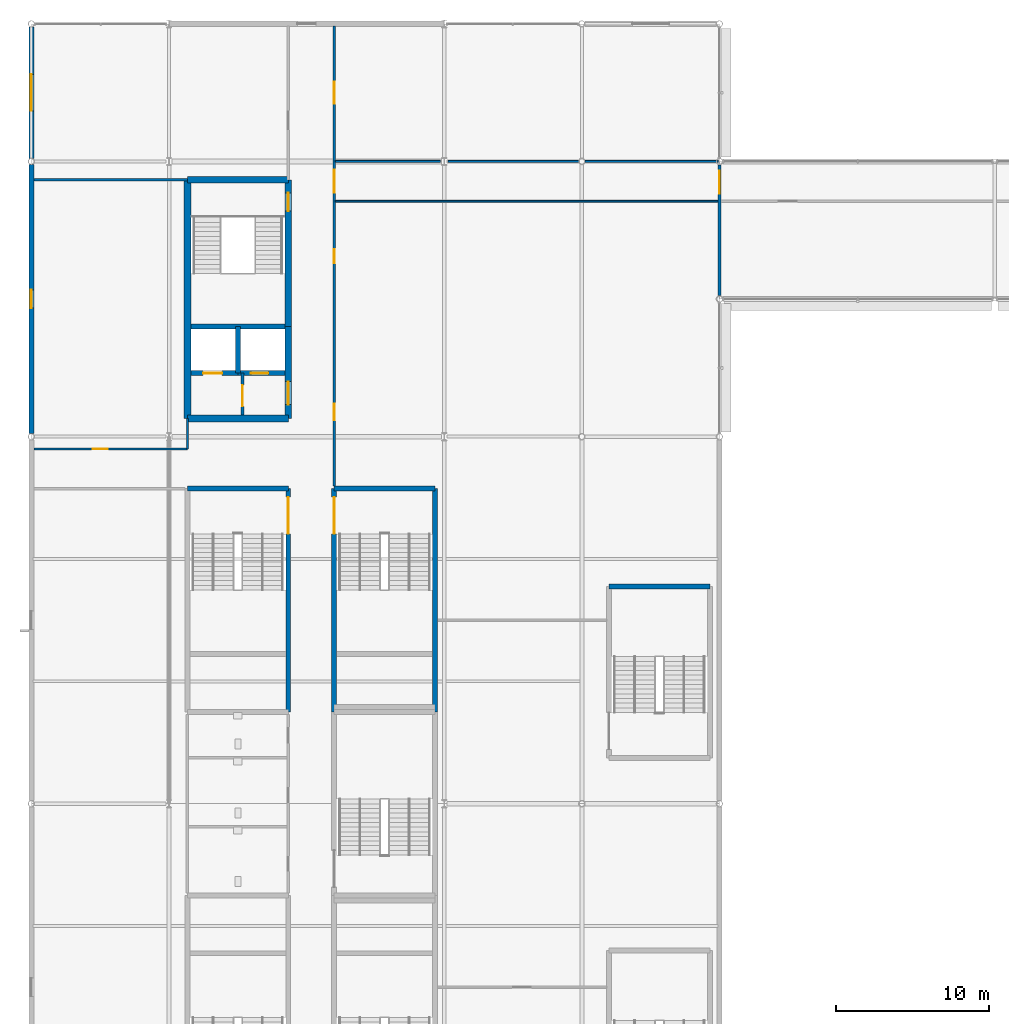
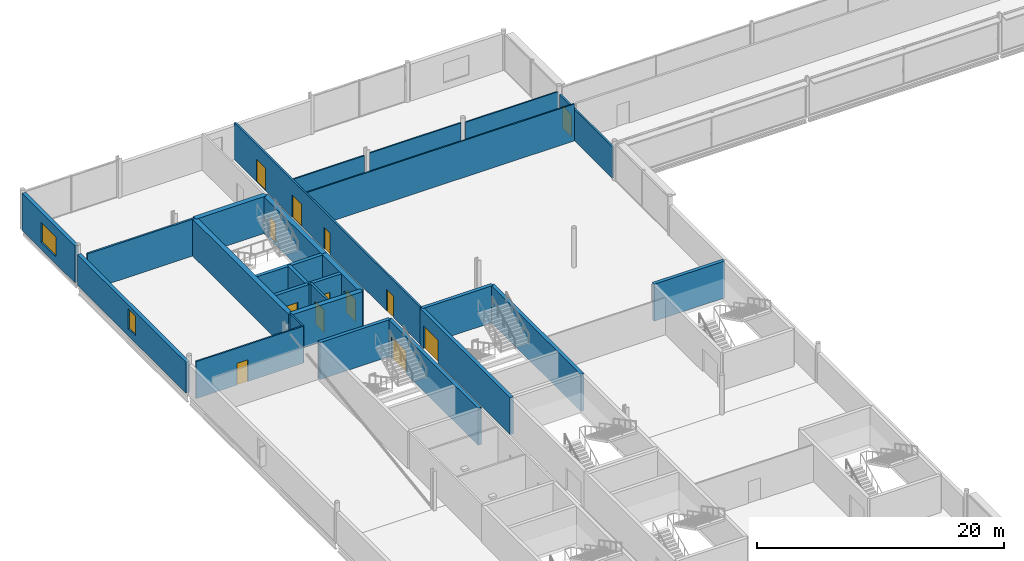
# One storey, part 57 of 96: 27 walls, 13 doors, 2 windows, 15 openings.
"""IFC4 building model written with IfcOpenShell, lengths in metres."""

from ifc_helpers import new_model, si_unit, direction, frame, frame_2d, origin, place, context, subcontext, project, spatial, rectangle, extrude, material, layer, layer_set, type_object, element, fill, save


model = new_model("IFC4")

# Units and contexts
model_context = context("Model", 3, precision=1e-05, world=origin(), true_north=direction((0.0, 1.0)))
body_context = subcontext(model_context, "Body", "Model", "MODEL_VIEW")
ifc_project = project(units=[si_unit("LENGTHUNIT", "METRE"), si_unit("AREAUNIT", "SQUARE_METRE"), si_unit("VOLUMEUNIT", "CUBIC_METRE"), si_unit("PLANEANGLEUNIT", "RADIAN"), si_unit("MASSUNIT", "GRAM", prefix="KILO")], contexts=[model_context])

# Site, building, storey
site_placement = place(None, origin())
site = spatial("IfcSite", under=ifc_project, at=site_placement, CompositionType="ELEMENT")
building_placement = place(site_placement, origin())
building = spatial("IfcBuilding", under=site, at=building_placement, Name="Kisiwana Market Hall", CompositionType="ELEMENT")
storey_placement = place(building_placement, frame((0.0, 0.0, 25.5)))
storey = spatial("IfcBuildingStorey", under=building, at=storey_placement, Name="L05", CompositionType="ELEMENT", Elevation=25.5)

# Wall, opening, door
ifc_material_1 = material(Name="Masonry blockwork", Category="masonry")
ifc_layer_1 = layer(ifc_material_1, 0.199951171875, Name="Plastered fire compartment block wall")
ifc_layer_set_1 = layer_set([ifc_layer_1], Name="WL-COMP-200")
wall_type_1 = type_object("IfcWallType", Name="WL-COMP-200", PredefinedType="PARTITIONING", material=ifc_layer_set_1)
wall_1_placement = place(storey_placement, frame((13.800048828125, 85.425048828125, 0.0), z_axis=(0.0, 0.0, 1.0), x_axis=(0.0, 1.0, 0.0)))
wall_1 = element("IfcWall", 1, at=wall_1_placement, inside=storey, type_object=wall_type_1, Name="Core W1 firefighting lobby wall W-1827", PredefinedType="PARTITIONING", context=body_context, shape_type="SweptSolid", body=[
    extrude(rectangle(XDim=2.72998046875, YDim=0.199951171875, at=frame_2d((1.364990234375, 0.0))), origin(), (0.0, 0.0, 1.0), 3.655029296875),
])
opening_1_placement = place(wall_1_placement, frame((0.550048828125, 0.0, 0.0)))
opening_1 = element("IfcOpeningElement", 2, at=opening_1_placement, cuts=wall_1, Name="Opening DR-L05-006", PredefinedType="OPENING", context=body_context, shape_type="SweptSolid", body=[
    extrude(rectangle(XDim=1.39990234375, YDim=2.25, at=frame_2d((0.699951171875, 1.125))), frame((0.0, 0.11181640625, 0.0), z_axis=(0.0, -1.0, 0.0), x_axis=(1.0, 0.0, 0.0)), (0.0, 0.0, 1.0), 0.223876953125),
])
ifc_material_2 = material(Name="Steel S275", Category="steel")
door_type_1 = type_object("IfcDoorType", Name="DR-FFLOB-FD120-1400", OperationType="DOUBLE_DOOR_SINGLE_SWING", PredefinedType="DOOR", material=ifc_material_2)
door_1_placement = place(opening_1_placement, frame((1.39990234375, 0.0, 0.0), z_axis=(0.0, 0.0, 1.0), x_axis=(-1.0, 0.0, 0.0)))
door_1 = element("IfcDoor", 3, at=door_1_placement, inside=storey, type_object=door_type_1, Name="Firefighting Lift Lobby W1 Door (L05)", OperationType="DOUBLE_DOOR_SINGLE_SWING", OverallHeight=2.25, OverallWidth=1.39990234375, PredefinedType="DOOR", context=body_context, shape_type="SweptSolid", body=[
    extrude(rectangle(XDim=1.39990234375, YDim=2.25, at=frame_2d((0.699951171875, 1.125))), frame((0.0, 0.02490234375, 0.0), z_axis=(0.0, -1.0, 0.0), x_axis=(1.0, 0.0, 0.0)), (0.0, 0.0, 1.0), 0.050048828125),
])
fill(opening_1, door_1)

# Walls
ifc_material_3 = material(Name="Concrete C40/50", Category="concrete")
ifc_layer_2 = layer(ifc_material_3, 0.320068359375, Name="Reinforced concrete shaft wall")
ifc_layer_set_2 = layer_set([ifc_layer_2], Name="WL-CORE-320")
wall_type_2 = type_object("IfcWallType", Name="WL-CORE-320", PredefinedType="SHEAR", material=ifc_layer_set_2)
wall_2_placement = place(storey_placement, frame((10.425048828125, 91.215087890625, 0.0), z_axis=(0.0, 0.0, 1.0), x_axis=(1.0, 0.0, 0.0)))
element("IfcWall", 4, at=wall_2_placement, inside=storey, type_object=wall_type_2, Name="Core W1 shaft back shear wall W-1716", PredefinedType="SHEAR", context=body_context, shape_type="SweptSolid", body=[
    extrude(rectangle(XDim=6.14990234375, YDim=0.320068359375, at=frame_2d((3.074951171875, 0.0))), origin(), (0.0, 0.0, 1.0), 3.655029296875),
])
wall_3_placement = place(storey_placement, frame((13.5, 88.155029296875, 0.0), z_axis=(0.0, 0.0, 1.0), x_axis=(0.0, 1.0, 0.0)))
element("IfcWall", 5, at=wall_3_placement, inside=storey, type_object=wall_type_2, Name="Core W1 inter-shaft shear wall W-1717", PredefinedType="SHEAR", context=body_context, shape_type="SweptSolid", body=[
    extrude(rectangle(XDim=3.06005859375, YDim=0.320068359375, at=frame_2d((1.530029296875, 0.0))), origin(), (0.0, 0.0, 1.0), 3.655029296875),
])

# Wall, opening, door
wall_4_placement = place(storey_placement, frame((10.425048828125, 88.155029296875, 0.0), z_axis=(0.0, 0.0, 1.0), x_axis=(1.0, 0.0, 0.0)))
wall_4 = element("IfcWall", 6, at=wall_4_placement, inside=storey, type_object=wall_type_2, Name="Core W1 west lift front wall W-1718", PredefinedType="SHEAR", context=body_context, shape_type="SweptSolid", body=[
    extrude(rectangle(XDim=3.074951171875, YDim=0.320068359375, at=frame_2d((1.53759765625, 0.0))), origin(), (0.0, 0.0, 1.0), 3.655029296875),
])
opening_2_placement = place(wall_4_placement, frame((0.800048828125, 0.0, 0.0)))
opening_2 = element("IfcOpeningElement", 7, at=opening_2_placement, cuts=wall_4, Name="Opening LD-L05-003", PredefinedType="OPENING", context=body_context, shape_type="SweptSolid", body=[
    extrude(rectangle(XDim=1.25, YDim=2.25, at=frame_2d((0.625, 1.125))), frame((0.0, 0.171875, 0.0), z_axis=(0.0, -1.0, 0.0), x_axis=(1.0, 0.0, 0.0)), (0.0, 0.0, 1.0), 0.343994140625),
])
ifc_material_4 = material(Name="Steel S275", Category="steel")
door_type_2 = type_object("IfcDoorType", Name="DR-LIFT-FFL-1250", OperationType="DOUBLE_DOOR_SLIDING", PredefinedType="DOOR", material=ifc_material_4)
door_2_placement = place(opening_2_placement, origin())
door_2 = element("IfcDoor", 8, at=door_2_placement, inside=storey, type_object=door_type_2, Name="Lift Landing Door FFL-02 (L05)", OperationType="DOUBLE_DOOR_SLIDING", OverallHeight=2.25, OverallWidth=1.25, PredefinedType="DOOR", context=body_context, shape_type="SweptSolid", body=[
    extrude(rectangle(XDim=1.25, YDim=2.25, at=frame_2d((0.625, 1.125))), frame((0.0, 0.02490234375, 0.0), z_axis=(0.0, -1.0, 0.0), x_axis=(1.0, 0.0, 0.0)), (0.0, 0.0, 1.0), 0.050048828125),
])
fill(opening_2, door_2)

wall_5_placement = place(storey_placement, frame((13.5, 88.155029296875, 0.0), z_axis=(0.0, 0.0, 1.0), x_axis=(1.0, 0.0, 0.0)))
wall_5 = element("IfcWall", 9, at=wall_5_placement, inside=storey, type_object=wall_type_2, Name="Core W1 east lift front wall W-1719", PredefinedType="SHEAR", context=body_context, shape_type="SweptSolid", body=[
    extrude(rectangle(XDim=3.074951171875, YDim=0.320068359375, at=frame_2d((1.53759765625, 0.0))), origin(), (0.0, 0.0, 1.0), 3.655029296875),
])
opening_3_placement = place(wall_5_placement, frame((0.85009765625, 0.0, 0.0)))
opening_3 = element("IfcOpeningElement", 10, at=opening_3_placement, cuts=wall_5, Name="Opening LD-L05-004", PredefinedType="OPENING", context=body_context, shape_type="SweptSolid", body=[
    extrude(rectangle(XDim=1.14990234375, YDim=2.199951171875, at=frame_2d((0.574951171875, 1.10009765625))), frame((0.0, 0.171875, 0.0), z_axis=(0.0, -1.0, 0.0), x_axis=(1.0, 0.0, 0.0)), (0.0, 0.0, 1.0), 0.343994140625),
])
ifc_material_5 = material(Name="Steel S275", Category="steel")
door_type_3 = type_object("IfcDoorType", Name="DR-LIFT-PAX-1150", OperationType="DOUBLE_DOOR_SLIDING", PredefinedType="DOOR", material=ifc_material_5)
door_3_placement = place(opening_3_placement, origin())
door_3 = element("IfcDoor", 11, at=door_3_placement, inside=storey, type_object=door_type_3, Name="Lift Landing Door LP-02 (L05)", OperationType="DOUBLE_DOOR_SLIDING", OverallHeight=2.199951171875, OverallWidth=1.14990234375, PredefinedType="DOOR", context=body_context, shape_type="SweptSolid", body=[
    extrude(rectangle(XDim=1.14990234375, YDim=2.199951171875, at=frame_2d((0.574951171875, 1.10009765625))), frame((0.0, 0.02490234375, 0.0), z_axis=(0.0, -1.0, 0.0), x_axis=(1.0, 0.0, 0.0)), (0.0, 0.0, 1.0), 0.050048828125),
])
fill(opening_3, door_3)

# Wall
wall_6_placement = place(storey_placement, frame((10.199951171875, 80.60009765625, 0.0), z_axis=(0.0, 0.0, 1.0), x_axis=(1.0, 0.0, 0.0)))
element("IfcWall", 12, at=wall_6_placement, inside=storey, type_object=wall_type_2, Name="Core W4 north shear wall W-1744", PredefinedType="SHEAR", context=body_context, shape_type="SweptSolid", body=[
    extrude(rectangle(XDim=6.60009765625, YDim=0.320068359375, at=frame_2d((3.300048828125, 0.0))), origin(), (0.0, 0.0, 1.0), 3.655029296875),
])

# Wall, opening, door
wall_7_placement = place(storey_placement, frame((16.800048828125, 66.0, 0.0), z_axis=(0.0, 0.0, 1.0), x_axis=(0.0, 1.0, 0.0)))
wall_7 = element("IfcWall", 13, at=wall_7_placement, inside=storey, type_object=wall_type_2, Name="Core W4 corridor shear wall W-1746", PredefinedType="SHEAR", context=body_context, shape_type="SweptSolid", body=[
    extrude(rectangle(XDim=14.60009765625, YDim=0.320068359375, at=frame_2d((7.300048828125, 0.0))), origin(), (0.0, 0.0, 1.0), 3.655029296875),
])
opening_4_placement = place(wall_7_placement, frame((11.64990234375, 0.0, 0.0)))
opening_4 = element("IfcOpeningElement", 14, at=opening_4_placement, cuts=wall_7, Name="Opening DR-L05-014", PredefinedType="OPENING", context=body_context, shape_type="SweptSolid", body=[
    extrude(rectangle(XDim=2.39990234375, YDim=2.25, at=frame_2d((1.199951171875, 1.125))), frame((0.0, 0.171875, 0.0), z_axis=(0.0, -1.0, 0.0), x_axis=(1.0, 0.0, 0.0)), (0.0, 0.0, 1.0), 0.343994140625),
])
ifc_material_6 = material(Name="Steel S275", Category="steel")
door_type_4 = type_object("IfcDoorType", Name="DR-STAIR-FD120-2400", OperationType="DOUBLE_DOOR_SINGLE_SWING", PredefinedType="DOOR", material=ifc_material_6)
door_4_placement = place(opening_4_placement, origin())
door_4 = element("IfcDoor", 15, at=door_4_placement, inside=storey, type_object=door_type_4, Name="Escape Stair W4 Fire Door (L05)", OperationType="DOUBLE_DOOR_SINGLE_SWING", OverallHeight=2.25, OverallWidth=2.39990234375, PredefinedType="DOOR", context=body_context, shape_type="SweptSolid", body=[
    extrude(rectangle(XDim=2.39990234375, YDim=2.25, at=frame_2d((1.199951171875, 1.125))), frame((0.0, 0.02490234375, 0.0), z_axis=(0.0, -1.0, 0.0), x_axis=(1.0, 0.0, 0.0)), (0.0, 0.0, 1.0), 0.050048828125),
])
fill(opening_4, door_4)

# Wall
wall_8_placement = place(storey_placement, frame((19.800048828125, 80.60009765625, 0.0), z_axis=(0.0, 0.0, 1.0), x_axis=(1.0, 0.0, 0.0)))
element("IfcWall", 16, at=wall_8_placement, inside=storey, type_object=wall_type_2, Name="Core W8 north shear wall W-1769", PredefinedType="SHEAR", context=body_context, shape_type="SweptSolid", body=[
    extrude(rectangle(XDim=6.599853515625, YDim=0.320068359375, at=frame_2d((3.2998046875, 0.0))), origin(), (0.0, 0.0, 1.0), 3.655029296875),
])

# Wall, opening, door
wall_9_placement = place(storey_placement, frame((19.800048828125, 66.0, 0.0), z_axis=(0.0, 0.0, 1.0), x_axis=(0.0, 1.0, 0.0)))
wall_9 = element("IfcWall", 17, at=wall_9_placement, inside=storey, type_object=wall_type_2, Name="Core W8 corridor shear wall W-1770", PredefinedType="SHEAR", context=body_context, shape_type="SweptSolid", body=[
    extrude(rectangle(XDim=14.60009765625, YDim=0.320068359375, at=frame_2d((7.300048828125, 0.0))), origin(), (0.0, 0.0, 1.0), 3.655029296875),
])
opening_5_placement = place(wall_9_placement, frame((11.64990234375, 0.0, 0.0)))
opening_5 = element("IfcOpeningElement", 18, at=opening_5_placement, cuts=wall_9, Name="Opening DR-L05-019", PredefinedType="OPENING", context=body_context, shape_type="SweptSolid", body=[
    extrude(rectangle(XDim=2.39990234375, YDim=2.25, at=frame_2d((1.199951171875, 1.125))), frame((0.0, 0.171875, 0.0), z_axis=(0.0, -1.0, 0.0), x_axis=(1.0, 0.0, 0.0)), (0.0, 0.0, 1.0), 0.343994140625),
])
door_5_placement = place(opening_5_placement, frame((2.39990234375, 0.0, 0.0), z_axis=(0.0, 0.0, 1.0), x_axis=(-1.0, 0.0, 0.0)))
door_5 = element("IfcDoor", 19, at=door_5_placement, inside=storey, type_object=door_type_4, Name="Escape Stair W8 Fire Door (L05)", OperationType="DOUBLE_DOOR_SINGLE_SWING", OverallHeight=2.25, OverallWidth=2.39990234375, PredefinedType="DOOR", context=body_context, shape_type="SweptSolid", body=[
    extrude(rectangle(XDim=2.39990234375, YDim=2.25, at=frame_2d((1.199951171875, 1.125))), frame((0.0, 0.02490234375, 0.0), z_axis=(0.0, -1.0, 0.0), x_axis=(1.0, 0.0, 0.0)), (0.0, 0.0, 1.0), 0.050048828125),
])
fill(opening_5, door_5)

# Walls
wall_10_placement = place(storey_placement, frame((26.39990234375, 66.0, 0.0), z_axis=(0.0, 0.0, 1.0), x_axis=(0.0, 1.0, 0.0)))
element("IfcWall", 20, at=wall_10_placement, inside=storey, type_object=wall_type_2, Name="Core W8 outer shear wall W-1771", PredefinedType="SHEAR", context=body_context, shape_type="SweptSolid", body=[
    extrude(rectangle(XDim=14.60009765625, YDim=0.320068359375, at=frame_2d((7.300048828125, 0.0))), origin(), (0.0, 0.0, 1.0), 3.655029296875),
])
wall_11_placement = place(storey_placement, frame((37.77001953125, 74.199951171875, 0.0), z_axis=(0.0, 0.0, 1.0), x_axis=(1.0, 0.0, 0.0)))
element("IfcWall", 21, at=wall_11_placement, inside=storey, type_object=wall_type_2, Name="Core W10 north shear wall W-1787", PredefinedType="SHEAR", context=body_context, shape_type="SweptSolid", body=[
    extrude(rectangle(XDim=6.60009765625, YDim=0.320068359375, at=frame_2d((3.300048828125, 0.0))), origin(), (0.0, 0.0, 1.0), 3.655029296875),
])
ifc_material_7 = material(Name="Concrete C40/50", Category="concrete")
ifc_layer_3 = layer(ifc_material_7, 0.449951171875, Name="Reinforced concrete core wall")
ifc_layer_set_3 = layer_set([ifc_layer_3], Name="WL-CORE-450")
wall_type_3 = type_object("IfcWallType", Name="WL-CORE-450", PredefinedType="SHEAR", material=ifc_layer_set_3)
for number, where, z_axis, x_axis, name in (
    (22, (10.199951171875, 85.199951171875, 0.0), (0.0, 0.0, 1.0), (1.0, 0.0, 0.0), "Core W1 south shear wall W-1711"),
    (23, (10.199951171875, 100.800048828125, 0.0), (0.0, 0.0, 1.0), (1.0, 0.0, 0.0), "Core W1 north shear wall W-1712"),
):
    element("IfcWall", number, at=place(storey_placement, frame(where, z_axis=z_axis, x_axis=x_axis)), inside=storey, type_object=wall_type_3, Name=name, PredefinedType="SHEAR", context=body_context, shape_type="SweptSolid", body=[
        extrude(rectangle(XDim=6.60009765625, YDim=0.449951171875, at=frame_2d((3.300048828125, 0.0))), origin(), (0.0, 0.0, 1.0), 3.655029296875),
    ])
wall_12_placement = place(storey_placement, frame((10.199951171875, 85.199951171875, 0.0), z_axis=(0.0, 0.0, 1.0), x_axis=(0.0, 1.0, 0.0)))
element("IfcWall", 24, at=wall_12_placement, inside=storey, type_object=wall_type_3, Name="Core W1 outer shear wall W-1713", PredefinedType="SHEAR", context=body_context, shape_type="SweptSolid", body=[
    extrude(rectangle(XDim=15.60009765625, YDim=0.449951171875, at=frame_2d((7.800048828125, 0.0))), origin(), (0.0, 0.0, 1.0), 3.655029296875),
])

# Wall, opening, door
wall_13_placement = place(storey_placement, frame((16.800048828125, 85.199951171875, 0.0), z_axis=(0.0, 0.0, 1.0), x_axis=(0.0, 1.0, 0.0)))
wall_13 = element("IfcWall", 25, at=wall_13_placement, inside=storey, type_object=wall_type_3, Name="Core W1 lobby corridor shear wall W-1714", PredefinedType="SHEAR", context=body_context, shape_type="SweptSolid", body=[
    extrude(rectangle(XDim=6.01513671875, YDim=0.449951171875, at=frame_2d((3.007568359375, 0.0))), origin(), (0.0, 0.0, 1.0), 3.655029296875),
])
opening_6_placement = place(wall_13_placement, frame((0.89990234375, 0.0, 0.0)))
opening_6 = element("IfcOpeningElement", 26, at=opening_6_placement, cuts=wall_13, Name="Opening DR-L05-004", PredefinedType="OPENING", context=body_context, shape_type="SweptSolid", body=[
    extrude(rectangle(XDim=1.5, YDim=2.199951171875, at=frame_2d((0.75, 1.10009765625))), frame((0.0, 0.23681640625, 0.0), z_axis=(0.0, -1.0, 0.0), x_axis=(1.0, 0.0, 0.0)), (0.0, 0.0, 1.0), 0.473876953125),
])
ifc_material_8 = material(Name="Steel S275", Category="steel")
door_type_5 = type_object("IfcDoorType", Name="DR-CORR-FD60-1500", OperationType="DOUBLE_DOOR_SINGLE_SWING", PredefinedType="DOOR", material=ifc_material_8)
door_6_placement = place(opening_6_placement, frame((1.5, 0.0, 0.0), z_axis=(0.0, 0.0, 1.0), x_axis=(-1.0, 0.0, 0.0)))
door_6 = element("IfcDoor", 27, at=door_6_placement, inside=storey, type_object=door_type_5, Name="Passenger Lift Lobby W1 Smoke Door (L05)", OperationType="DOUBLE_DOOR_SINGLE_SWING", OverallHeight=2.199951171875, OverallWidth=1.5, PredefinedType="DOOR", context=body_context, shape_type="SweptSolid", body=[
    extrude(rectangle(XDim=1.5, YDim=2.199951171875, at=frame_2d((0.75, 1.10009765625))), frame((0.0, 0.02490234375, 0.0), z_axis=(0.0, -1.0, 0.0), x_axis=(1.0, 0.0, 0.0)), (0.0, 0.0, 1.0), 0.050048828125),
])
fill(opening_6, door_6)

wall_14_placement = place(storey_placement, frame((16.800048828125, 91.215087890625, 0.0), z_axis=(0.0, 0.0, 1.0), x_axis=(0.0, 1.0, 0.0)))
wall_14 = element("IfcWall", 28, at=wall_14_placement, inside=storey, type_object=wall_type_3, Name="Core W1 stair corridor shear wall W-1715", PredefinedType="SHEAR", context=body_context, shape_type="SweptSolid", body=[
    extrude(rectangle(XDim=9.5849609375, YDim=0.449951171875, at=frame_2d((4.79248046875, 0.0))), origin(), (0.0, 0.0, 1.0), 3.655029296875),
])
opening_7_placement = place(wall_14_placement, frame((7.534912109375, 0.0, 0.0)))
opening_7 = element("IfcOpeningElement", 29, at=opening_7_placement, cuts=wall_14, Name="Opening DR-L05-005", PredefinedType="OPENING", context=body_context, shape_type="SweptSolid", body=[
    extrude(rectangle(XDim=1.199951171875, YDim=2.199951171875, at=frame_2d((0.60009765625, 1.10009765625))), frame((0.0, 0.23681640625, 0.0), z_axis=(0.0, -1.0, 0.0), x_axis=(1.0, 0.0, 0.0)), (0.0, 0.0, 1.0), 0.473876953125),
])
ifc_material_9 = material(Name="Steel S275", Category="steel")
door_type_6 = type_object("IfcDoorType", Name="DR-STAIR-FD120-1200", OperationType="NOTDEFINED", PredefinedType="DOOR", material=ifc_material_9)
door_7_placement = place(opening_7_placement, origin())
door_7 = element("IfcDoor", 30, at=door_7_placement, inside=storey, type_object=door_type_6, Name="Escape Stair W1 Fire Door (L05)", OperationType="SINGLE_SWING_RIGHT", OverallHeight=2.199951171875, OverallWidth=1.199951171875, PredefinedType="DOOR", context=body_context, shape_type="SweptSolid", body=[
    extrude(rectangle(XDim=1.199951171875, YDim=2.199951171875, at=frame_2d((0.60009765625, 1.10009765625))), frame((0.0, 0.02490234375, 0.0), z_axis=(0.0, -1.0, 0.0), x_axis=(1.0, 0.0, 0.0)), (0.0, 0.0, 1.0), 0.050048828125),
])
fill(opening_7, door_7)

# Wall
ifc_material_10 = material(Name="Masonry blockwork", Category="masonry")
ifc_layer_4 = layer(ifc_material_10, 0.169921875, Name="Protected corridor partition")
ifc_layer_set_4 = layer_set([ifc_layer_4], Name="WL-CORR-170")
wall_type_4 = type_object("IfcWallType", Name="WL-CORR-170", PredefinedType="PARTITIONING", material=ifc_layer_set_4)
wall_15_placement = place(storey_placement, frame((0.157470703125, 100.800048828125, 0.0), z_axis=(0.0, 0.0, 1.0), x_axis=(1.0, 0.0, 0.0)))
element("IfcWall", 31, at=wall_15_placement, inside=storey, type_object=wall_type_4, Name="Interior partition W-1837", PredefinedType="PARTITIONING", context=body_context, shape_type="SweptSolid", body=[
    extrude(rectangle(XDim=10.04248046875, YDim=0.169921875, at=frame_2d((5.021240234375, 0.0))), origin(), (0.0, 0.0, 1.0), 3.655029296875),
])

# Wall, openings, doors
wall_16_placement = place(storey_placement, frame((19.800048828125, 80.760009765625, 0.0), z_axis=(0.0, 0.0, 1.0), x_axis=(0.0, 1.0, 0.0)))
wall_16 = element("IfcWall", 32, at=wall_16_placement, inside=storey, type_object=wall_type_4, Name="Interior partition W-1855", PredefinedType="PARTITIONING", context=body_context, shape_type="SweptSolid", body=[
    extrude(rectangle(XDim=30.08251953125, YDim=0.169921875, at=frame_2d((15.041259765625, 0.0))), origin(), (0.0, 0.0, 1.0), 3.655029296875),
])
opening_8_placement = place(wall_16_placement, frame((4.301025390625, 0.0, 0.0)))
opening_8 = element("IfcOpeningElement", 33, at=opening_8_placement, cuts=wall_16, Name="Opening DR-L05-040", PredefinedType="OPENING", context=body_context, shape_type="SweptSolid", body=[
    extrude(rectangle(XDim=1.080078125, YDim=2.14990234375, at=frame_2d((0.5400390625, 1.074951171875))), frame((0.0, 0.096923828125, 0.0), z_axis=(0.0, -1.0, 0.0), x_axis=(1.0, 0.0, 0.0)), (0.0, 0.0, 1.0), 0.19384765625),
])
opening_9_placement = place(wall_16_placement, frame((19.19091796875, 0.0, 0.0)))
opening_9 = element("IfcOpeningElement", 34, at=opening_9_placement, cuts=wall_16, Name="Opening DR-L05-041", PredefinedType="OPENING", context=body_context, shape_type="SweptSolid", body=[
    extrude(rectangle(XDim=1.5, YDim=2.199951171875, at=frame_2d((0.75, 1.10009765625))), frame((0.0, 0.096923828125, 0.0), z_axis=(0.0, -1.0, 0.0), x_axis=(1.0, 0.0, 0.0)), (0.0, 0.0, 1.0), 0.19384765625),
])
opening_10_placement = place(wall_16_placement, frame((25.01611328125, 0.0, 0.0)))
opening_10 = element("IfcOpeningElement", 35, at=opening_10_placement, cuts=wall_16, Name="Opening DR-L05-042", PredefinedType="OPENING", context=body_context, shape_type="SweptSolid", body=[
    extrude(rectangle(XDim=1.449951171875, YDim=2.199951171875, at=frame_2d((0.72509765625, 1.10009765625))), frame((0.0, 0.096923828125, 0.0), z_axis=(0.0, -1.0, 0.0), x_axis=(1.0, 0.0, 0.0)), (0.0, 0.0, 1.0), 0.19384765625),
])
opening_11_placement = place(wall_16_placement, frame((14.5810546875, 0.0, 0.0)))
opening_11 = element("IfcOpeningElement", 36, at=opening_11_placement, cuts=wall_16, Name="Opening DR-L05-043", PredefinedType="OPENING", context=body_context, shape_type="SweptSolid", body=[
    extrude(rectangle(XDim=0.919921875, YDim=2.14990234375, at=frame_2d((0.4599609375, 1.074951171875))), frame((0.0, 0.096923828125, 0.0), z_axis=(0.0, -1.0, 0.0), x_axis=(1.0, 0.0, 0.0)), (0.0, 0.0, 1.0), 0.19384765625),
])
door_8_placement = place(opening_9_placement, origin())
door_8 = element("IfcDoor", 37, at=door_8_placement, inside=storey, type_object=door_type_5, Name="L05 W North Skybridge Link Corridor Door", OperationType="DOUBLE_DOOR_SINGLE_SWING", OverallHeight=2.199951171875, OverallWidth=1.5, PredefinedType="DOOR", context=body_context, shape_type="SweptSolid", body=[
    extrude(rectangle(XDim=1.5, YDim=2.199951171875, at=frame_2d((0.75, 1.10009765625))), frame((0.0, 0.02490234375, 0.0), z_axis=(0.0, -1.0, 0.0), x_axis=(1.0, 0.0, 0.0)), (0.0, 0.0, 1.0), 0.050048828125),
])
fill(opening_9, door_8)
ifc_material_11 = material(Name="Hardwood timber", Category="wood")
door_type_7 = type_object("IfcDoorType", Name="DR-MEET-1450", OperationType="DOUBLE_DOOR_SINGLE_SWING", PredefinedType="DOOR", material=ifc_material_11)
door_9_placement = place(opening_10_placement, frame((1.449951171875, 0.0, 0.0), z_axis=(0.0, 0.0, 1.0), x_axis=(-1.0, 0.0, 0.0)))
door_9 = element("IfcDoor", 38, at=door_9_placement, inside=storey, type_object=door_type_7, Name="L05 W Executive Corner Office A5 Door", OperationType="DOUBLE_DOOR_SINGLE_SWING", OverallHeight=2.199951171875, OverallWidth=1.449951171875, PredefinedType="DOOR", context=body_context, shape_type="SweptSolid", body=[
    extrude(rectangle(XDim=1.449951171875, YDim=2.199951171875, at=frame_2d((0.72509765625, 1.10009765625))), frame((0.0, 0.02490234375, 0.0), z_axis=(0.0, -1.0, 0.0), x_axis=(1.0, 0.0, 0.0)), (0.0, 0.0, 1.0), 0.050048828125),
])
fill(opening_10, door_9)
ifc_material_12 = material(Name="Hardwood timber", Category="wood")
door_type_8 = type_object("IfcDoorType", Name="DR-OFF-0920", OperationType="NOTDEFINED", PredefinedType="DOOR", material=ifc_material_12)
door_10_placement = place(opening_11_placement, frame((0.919921875, 0.0, 0.0), z_axis=(0.0, 0.0, 1.0), x_axis=(-1.0, 0.0, 0.0)))
door_10 = element("IfcDoor", 39, at=door_10_placement, inside=storey, type_object=door_type_8, Name="L05 W Open-Plan Office A3 Door", OperationType="SINGLE_SWING_RIGHT", OverallHeight=2.14990234375, OverallWidth=0.919921875, PredefinedType="DOOR", context=body_context, shape_type="SweptSolid", body=[
    extrude(rectangle(XDim=0.919921875, YDim=2.14990234375, at=frame_2d((0.4599609375, 1.074951171875))), frame((0.0, 0.02490234375, 0.0), z_axis=(0.0, -1.0, 0.0), x_axis=(1.0, 0.0, 0.0)), (0.0, 0.0, 1.0), 0.050048828125),
])
fill(opening_11, door_10)
ifc_material_13 = material(Name="Hardwood timber", Category="wood")
door_type_9 = type_object("IfcDoorType", Name="DR-OFF-1080", OperationType="NOTDEFINED", PredefinedType="DOOR", material=ifc_material_13)
door_11_placement = place(opening_8_placement, frame((1.080078125, 0.0, 0.0), z_axis=(0.0, 0.0, 1.0), x_axis=(-1.0, 0.0, 0.0)))
door_11 = element("IfcDoor", 40, at=door_11_placement, inside=storey, type_object=door_type_9, Name="L05 W Project Studio A4 Door", OperationType="SINGLE_SWING_RIGHT", OverallHeight=2.14990234375, OverallWidth=1.080078125, PredefinedType="DOOR", context=body_context, shape_type="SweptSolid", body=[
    extrude(rectangle(XDim=1.080078125, YDim=2.14990234375, at=frame_2d((0.5400390625, 1.074951171875))), frame((0.0, 0.02490234375, 0.0), z_axis=(0.0, -1.0, 0.0), x_axis=(1.0, 0.0, 0.0)), (0.0, 0.0, 1.0), 0.050048828125),
])
fill(opening_8, door_11)

# Wall, opening, door
wall_17_placement = place(storey_placement, frame((45.0, 93.219970703125, 0.0), z_axis=(0.0, 0.0, 1.0), x_axis=(0.0, 1.0, 0.0)))
wall_17 = element("IfcWall", 41, at=wall_17_placement, inside=storey, type_object=wall_type_4, Name="Interior partition W-1857", PredefinedType="PARTITIONING", context=body_context, shape_type="SweptSolid", body=[
    extrude(rectangle(XDim=8.56005859375, YDim=0.169921875, at=frame_2d((4.280029296875, 0.0))), origin(), (0.0, 0.0, 1.0), 3.101806640625),
])
opening_12_placement = place(wall_17_placement, frame((6.679931640625, 0.0, 0.0)))
opening_12 = element("IfcOpeningElement", 42, at=opening_12_placement, cuts=wall_17, Name="Opening DR-L05-045", PredefinedType="OPENING", context=body_context, shape_type="SweptSolid", body=[
    extrude(rectangle(XDim=1.5, YDim=2.199951171875, at=frame_2d((0.75, 1.10009765625))), frame((0.0, 0.096923828125, 0.0), z_axis=(0.0, -1.0, 0.0), x_axis=(1.0, 0.0, 0.0)), (0.0, 0.0, 1.0), 0.19384765625),
])
door_12_placement = place(opening_12_placement, origin())
door_12 = element("IfcDoor", 43, at=door_12_placement, inside=storey, type_object=door_type_5, Name="L05 W North Skybridge Spine Door", OperationType="DOUBLE_DOOR_SINGLE_SWING", OverallHeight=2.199951171875, OverallWidth=1.5, PredefinedType="DOOR", context=body_context, shape_type="SweptSolid", body=[
    extrude(rectangle(XDim=1.5, YDim=2.199951171875, at=frame_2d((0.75, 1.10009765625))), frame((0.0, 0.02490234375, 0.0), z_axis=(0.0, -1.0, 0.0), x_axis=(1.0, 0.0, 0.0)), (0.0, 0.0, 1.0), 0.050048828125),
])
fill(opening_12, door_12)

# Wall, opening, window
ifc_material_14 = material(Name="Concrete C40/50 precast", Category="concrete")
ifc_layer_5 = layer(ifc_material_14, 0.14990234375, Name="Precast architectural concrete spandrel")
ifc_material_15 = material(Name="Mineral wool insulation")
ifc_layer_6 = layer(ifc_material_15, 0.090087890625, Name="Rockwool thermal insulation")
ifc_material_16 = material(Name="Masonry blockwork", Category="masonry")
ifc_layer_7 = layer(ifc_material_16, 0.10009765625, Name="Inner masonry block leaf")
ifc_layer_set_5 = layer_set([ifc_layer_5, ifc_layer_6, ifc_layer_7], Name="WL-EXT-PREC-340")
wall_type_5 = type_object("IfcWallType", Name="WL-EXT-PREC-340", PredefinedType="STANDARD", material=ifc_layer_set_5)
wall_18_placement = place(storey_placement, frame((0.0, 84.205078125, 0.0), z_axis=(0.0, 0.0, 1.0), x_axis=(0.0, 1.0, 0.0)))
wall_18 = element("IfcWall", 44, at=wall_18_placement, inside=storey, type_object=wall_type_5, Name="Exterior wall W-1815", PredefinedType="STANDARD", context=body_context, shape_type="SweptSolid", body=[
    extrude(rectangle(XDim=17.58984375, YDim=0.340087890625, at=frame_2d((8.794921875, 0.0))), origin(), (0.0, 0.0, 1.0), 3.042724609375),
])
opening_13_placement = place(wall_18_placement, frame((8.19482421875, 0.0, 0.699951171875)))
opening_13 = element("IfcOpeningElement", 45, at=opening_13_placement, cuts=wall_18, Name="Opening WN-15", PredefinedType="OPENING", context=body_context, shape_type="SweptSolid", body=[
    extrude(rectangle(XDim=1.199951171875, YDim=1.949951171875, at=frame_2d((0.60009765625, 0.97509765625))), frame((0.0, 0.18212890625, 0.0), z_axis=(0.0, -1.0, 0.0), x_axis=(1.0, 0.0, 0.0)), (0.0, 0.0, 1.0), 0.364013671875),
])
ifc_material_17 = material(Name="Double-glazed solar-control low-E IGU", Category="glass")
window_type_1 = type_object("IfcWindowType", Name="WN-OFFA-1200x1950", PartitioningType="SINGLE_PANEL", PredefinedType="WINDOW", material=ifc_material_17)
window_1_placement = place(opening_13_placement, origin())
window_1 = element("IfcWindow", 46, at=window_1_placement, inside=storey, type_object=window_type_1, Name="Exterior window WN-174", OverallHeight=1.949951171875, OverallWidth=1.199951171875, PartitioningType="SINGLE_PANEL", PredefinedType="WINDOW", context=body_context, shape_type="SweptSolid", body=[
    extrude(rectangle(XDim=1.199951171875, YDim=1.949951171875, at=frame_2d((0.60009765625, 0.97509765625))), frame((0.0, 0.030029296875, 0.0), z_axis=(0.0, -1.0, 0.0), x_axis=(1.0, 0.0, 0.0)), (0.0, 0.0, 1.0), 0.06005859375),
])
fill(opening_13, window_1)

wall_19_placement = place(storey_placement, frame((0.0, 102.205078125, 0.0), z_axis=(0.0, 0.0, 1.0), x_axis=(0.0, 1.0, 0.0)))
wall_19 = element("IfcWall", 47, at=wall_19_placement, inside=storey, type_object=wall_type_5, Name="Exterior wall W-1816", PredefinedType="STANDARD", context=body_context, shape_type="SweptSolid", body=[
    extrude(rectangle(XDim=8.58984375, YDim=0.340087890625, at=frame_2d((4.294921875, 0.0))), origin(), (0.0, 0.0, 1.0), 3.655029296875),
])
opening_14_placement = place(wall_19_placement, frame((3.0947265625, 0.0, 0.699951171875)))
opening_14 = element("IfcOpeningElement", 48, at=opening_14_placement, cuts=wall_19, Name="Opening WN-27", PredefinedType="OPENING", context=body_context, shape_type="SweptSolid", body=[
    extrude(rectangle(XDim=2.39990234375, YDim=1.949951171875, at=frame_2d((1.199951171875, 0.97509765625))), frame((0.0, 0.18212890625, 0.0), z_axis=(0.0, -1.0, 0.0), x_axis=(1.0, 0.0, 0.0)), (0.0, 0.0, 1.0), 0.364013671875),
])
ifc_material_18 = material(Name="Double-glazed solar-control low-E IGU", Category="glass")
window_type_2 = type_object("IfcWindowType", Name="WN-OFFA-2400x1950", PartitioningType="SINGLE_PANEL", PredefinedType="WINDOW", material=ifc_material_18)
window_2_placement = place(opening_14_placement, origin())
window_2 = element("IfcWindow", 49, at=window_2_placement, inside=storey, type_object=window_type_2, Name="Exterior window WN-185", OverallHeight=1.949951171875, OverallWidth=2.39990234375, PartitioningType="SINGLE_PANEL", PredefinedType="WINDOW", context=body_context, shape_type="SweptSolid", body=[
    extrude(rectangle(XDim=2.39990234375, YDim=1.949951171875, at=frame_2d((1.199951171875, 0.97509765625))), frame((0.0, 0.030029296875, 0.0), z_axis=(0.0, -1.0, 0.0), x_axis=(1.0, 0.0, 0.0)), (0.0, 0.0, 1.0), 0.06005859375),
])
fill(opening_14, window_2)

# Walls
ifc_material_19 = material(Name="Gypsum plasterboard")
ifc_layer_8 = layer(ifc_material_19, 0.125, Name="Double gypsum board + acoustic stud")
ifc_layer_set_6 = layer_set([ifc_layer_8], Name="WL-OFF-125")
wall_type_6 = type_object("IfcWallType", Name="WL-OFF-125", PredefinedType="PARTITIONING", material=ifc_layer_set_6)
wall_20_placement = place(storey_placement, frame((19.885009765625, 99.39990234375, 0.0), z_axis=(0.0, 0.0, 1.0), x_axis=(1.0, 0.0, 0.0)))
element("IfcWall", 50, at=wall_20_placement, inside=storey, type_object=wall_type_6, Name="Interior partition W-1850", PredefinedType="PARTITIONING", context=body_context, shape_type="SweptSolid", body=[
    extrude(rectangle(XDim=25.030029296875, YDim=0.125, at=frame_2d((12.51513671875, 0.0))), origin(), (0.0, 0.0, 1.0), 3.655029296875),
])
wall_21_placement = place(storey_placement, frame((19.885009765625, 102.0, 0.0), z_axis=(0.0, 0.0, 1.0), x_axis=(1.0, 0.0, 0.0)))
element("IfcWall", 51, at=wall_21_placement, inside=storey, type_object=wall_type_6, Name="Interior partition W-1851", PredefinedType="PARTITIONING", context=body_context, shape_type="SweptSolid", body=[
    extrude(rectangle(XDim=6.864990234375, YDim=0.125, at=frame_2d((3.4326171875, 0.0))), origin(), (0.0, 0.0, 1.0), 3.315185546875),
])
wall_22_placement = place(storey_placement, frame((27.25, 102.0, 0.0), z_axis=(0.0, 0.0, 1.0), x_axis=(1.0, 0.0, 0.0)))
element("IfcWall", 52, at=wall_22_placement, inside=storey, type_object=wall_type_6, Name="Interior partition W-1852", PredefinedType="PARTITIONING", context=body_context, shape_type="SweptSolid", body=[
    extrude(rectangle(XDim=8.546875, YDim=0.125, at=frame_2d((4.2734375, 0.0))), origin(), (0.0, 0.0, 1.0), 3.39501953125),
])
wall_23_placement = place(storey_placement, frame((36.203125, 102.0, 0.0), z_axis=(0.0, 0.0, 1.0), x_axis=(1.0, 0.0, 0.0)))
element("IfcWall", 53, at=wall_23_placement, inside=storey, type_object=wall_type_6, Name="Interior partition W-1853", PredefinedType="PARTITIONING", context=body_context, shape_type="SweptSolid", body=[
    extrude(rectangle(XDim=8.7119140625, YDim=0.125, at=frame_2d((4.35595703125, 0.0))), origin(), (0.0, 0.0, 1.0), 3.294921875),
])
ifc_material_20 = material(Name="Masonry blockwork", Category="masonry")
ifc_layer_9 = layer(ifc_material_20, 0.139892578125)
ifc_layer_set_7 = layer_set([ifc_layer_9], Name="WL-PART-140")
wall_type_7 = type_object("IfcWallType", Name="WL-PART-140", PredefinedType="PARTITIONING", material=ifc_layer_set_7)
wall_24_placement = place(storey_placement, frame((10.199951171875, 83.199951171875, 0.0), z_axis=(0.0, 0.0, 1.0), x_axis=(0.0, 1.0, 0.0)))
element("IfcWall", 54, at=wall_24_placement, inside=storey, type_object=wall_type_7, Name="Interior partition W-1835", PredefinedType="PARTITIONING", context=body_context, shape_type="SweptSolid", body=[
    extrude(rectangle(XDim=2.0, YDim=0.139892578125, at=frame_2d((1.0, 0.0))), origin(), (0.0, 0.0, 1.0), 3.655029296875),
])

# Wall, opening, door
wall_25_placement = place(storey_placement, frame((0.157470703125, 83.199951171875, 0.0), z_axis=(0.0, 0.0, 1.0), x_axis=(1.0, 0.0, 0.0)))
wall_25 = element("IfcWall", 55, at=wall_25_placement, inside=storey, type_object=wall_type_7, Name="Interior partition W-1841", PredefinedType="PARTITIONING", context=body_context, shape_type="SweptSolid", body=[
    extrude(rectangle(XDim=10.04248046875, YDim=0.139892578125, at=frame_2d((5.021240234375, 0.0))), origin(), (0.0, 0.0, 1.0), 3.655029296875),
])
opening_15_placement = place(wall_25_placement, frame((3.842041015625, 0.0, 0.0)))
opening_15 = element("IfcOpeningElement", 56, at=opening_15_placement, cuts=wall_25, Name="Opening DR-L05-032", PredefinedType="OPENING", context=body_context, shape_type="SweptSolid", body=[
    extrude(rectangle(XDim=1.0, YDim=2.14990234375, at=frame_2d((0.5, 1.074951171875))), frame((0.0, 0.08203125, 0.0), z_axis=(0.0, -1.0, 0.0), x_axis=(1.0, 0.0, 0.0)), (0.0, 0.0, 1.0), 0.163818359375),
])
ifc_material_21 = material(Name="Aluminium alloy 6063-T6", Category="aluminium")
door_type_10 = type_object("IfcDoorType", Name="DR-OFF-1000", OperationType="NOTDEFINED", PredefinedType="DOOR", material=ifc_material_21)
door_13_placement = place(opening_15_placement, origin())
door_13 = element("IfcDoor", 57, at=door_13_placement, inside=storey, type_object=door_type_10, Name="L05 W Commercial Office North Door", OperationType="SINGLE_SWING_LEFT", OverallHeight=2.14990234375, OverallWidth=1.0, PredefinedType="DOOR", context=body_context, shape_type="SweptSolid", body=[
    extrude(rectangle(XDim=1.0, YDim=2.14990234375, at=frame_2d((0.5, 1.074951171875))), frame((0.0, 0.02490234375, 0.0), z_axis=(0.0, -1.0, 0.0), x_axis=(1.0, 0.0, 0.0)), (0.0, 0.0, 1.0), 0.050048828125),
])
fill(opening_15, door_13)

save(model, "model.ifc")
